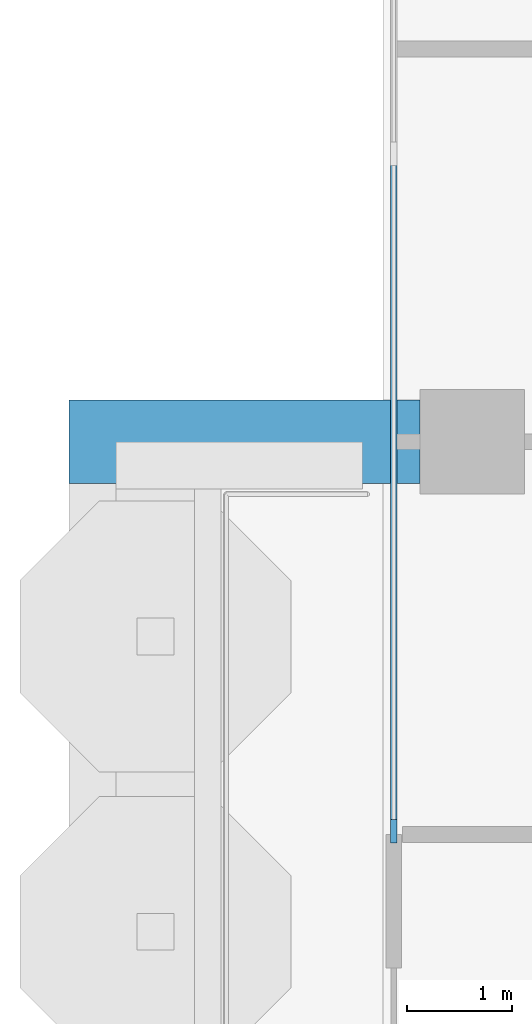
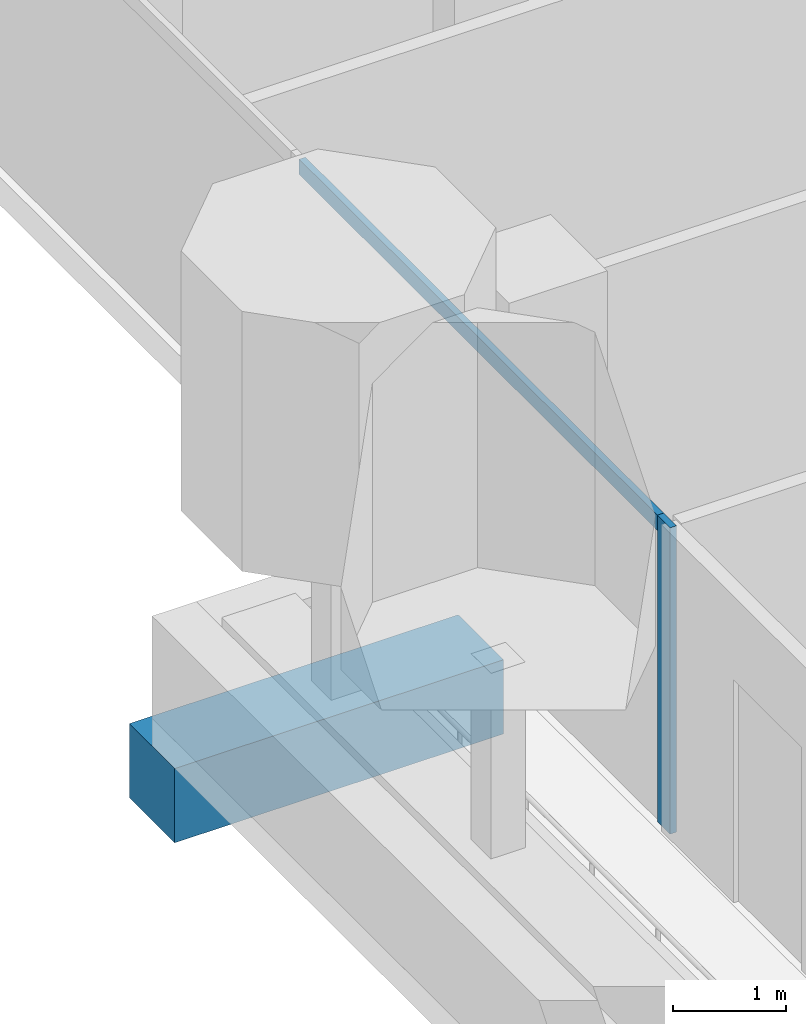
# One storey, part 3 of 19: 2 members, 1 beam, 1 element without a shape of its own.
"""IFC4 building model written with IfcOpenShell, lengths in metres."""

from ifc_helpers import new_model, si_unit, direction, frame, origin, origin_2d, place, context, subcontext, project, spatial, rectangle, extrude, material, material_profile, profile_set, type_object, element, aggregate, save


model = new_model("IFC4")

# Units and contexts
model_context = context("Model", 3, precision=1e-05, world=origin(), true_north=direction((0.0, 1.0)))
body_context = subcontext(model_context, "Body", "Model", "MODEL_VIEW")
ifc_project = project(units=[si_unit("LENGTHUNIT", "METRE"), si_unit("AREAUNIT", "SQUARE_METRE"), si_unit("VOLUMEUNIT", "CUBIC_METRE"), si_unit("PLANEANGLEUNIT", "RADIAN"), si_unit("MASSUNIT", "GRAM", prefix="KILO")], contexts=[model_context])

# Site, building, storey
site_placement = place(None, origin())
site = spatial("IfcSite", under=ifc_project, at=site_placement, CompositionType="ELEMENT")
building_placement = place(site_placement, origin())
building = spatial("IfcBuilding", under=site, at=building_placement, Name="Pilkhan Gate Tower", CompositionType="ELEMENT")
storey_placement = place(building_placement, frame((0.0, 0.0, 224.699951171875)))
storey = spatial("IfcBuildingStorey", under=building, at=storey_placement, Name="L58", CompositionType="ELEMENT", Elevation=224.699951171875)

# Beam
ifc_material_1 = material(Name="Concrete C50/60", Category="concrete")
ifc_material_profile_1 = material_profile(ifc_material_1, rectangle(XDim=0.800048828125, YDim=0.800048828125, at=origin_2d()), Name="RC 800x800")
ifc_profile_set_1 = profile_set([ifc_material_profile_1], Name="Concrete C50/60")
beam_type = type_object("IfcBeamType", Name="Cantilever beam CB2 RC 800x800 C50/60", PredefinedType="BEAM", material=ifc_profile_set_1)
beam_placement = place(storey_placement, frame((48.25, 67.5, -0.699951171875), z_axis=(-1.0, 0.0, 0.0), x_axis=(0.0, -1.0, 0.0)))
element("IfcBeam", 1, at=beam_placement, inside=storey, type_object=beam_type, Name="Balcony beam W.3 L58", PredefinedType="BEAM", context=body_context, shape_type="SweptSolid", body=[
    extrude(rectangle(XDim=0.800048828125, YDim=0.800048828125, at=origin_2d()), origin(), (0.0, 0.0, 1.0), 3.35009765625),
])

# Curtain wall, members
ifc_material_2 = material(Name="Pale anodised aluminium, clear low-iron double glazing", Category="aluminium")
curtain_wall_type = type_object("IfcCurtainWallType", Name="Office unitised curtain wall CW-O2", PredefinedType="USERDEFINED", material=ifc_material_2)
curtain_wall_placement = place(storey_placement, origin())
curtain_wall = element("IfcCurtainWall", 2, at=curtain_wall_placement, inside=storey, type_object=curtain_wall_type, Name="Office unitised curtain wall CW-O2 L58 W", ObjectType="UNITISED CURTAIN WALL", PredefinedType="USERDEFINED")
ifc_material_3 = material(Name="Pale anodised aluminium", Category="aluminium")
ifc_material_profile_2 = material_profile(ifc_material_3, rectangle(XDim=0.06494140625, YDim=0.22509765625, at=origin_2d()), Name="Mullion 225x65")
ifc_profile_set_2 = profile_set([ifc_material_profile_2], Name="Pale anodised aluminium")
member_type_1 = type_object("IfcMemberType", Name="Mullion CW-O2 225x65", PredefinedType="MULLION", material=ifc_profile_set_2)
member_1_placement = place(storey_placement, frame((48.0, 63.782470703125, 0.0), z_axis=(0.0, 0.0, 1.0), x_axis=(-1.0, 0.0, 0.0)))
member_1 = element("IfcMember", 3, at=member_1_placement, type_object=member_type_1, Name="CW-O2 mullion 1", PredefinedType="MULLION", context=body_context, shape_type="SweptSolid", body=[
    extrude(rectangle(XDim=0.06494140625, YDim=0.22509765625, at=origin_2d()), origin(), (0.0, 0.0, 1.0), 3.300048828125),
])
ifc_material_profile_3 = material_profile(ifc_material_3, rectangle(XDim=0.06494140625, YDim=0.1650390625, at=origin_2d()), Name="Transom 165x65")
ifc_profile_set_3 = profile_set([ifc_material_profile_3], Name="Pale anodised aluminium")
member_type_2 = type_object("IfcMemberType", Name="Transom CW-O2 165x65", PredefinedType="USERDEFINED", material=ifc_profile_set_3)
member_2_placement = place(storey_placement, frame((48.0, 63.81494140625, 3.217529296875), z_axis=(0.0, 1.0, 0.0), x_axis=(-1.0, 0.0, 0.0)))
member_2 = element("IfcMember", 4, at=member_2_placement, type_object=member_type_2, Name="CW-O2 transom 1", ObjectType="TRANSOM", PredefinedType="USERDEFINED", context=body_context, shape_type="SweptSolid", body=[
    extrude(rectangle(XDim=0.06494140625, YDim=0.1650390625, at=origin_2d()), origin(), (0.0, 0.0, 1.0), 6.402587890625),
])
aggregate(curtain_wall, [member_1, member_2])

save(model, "model.ifc")
